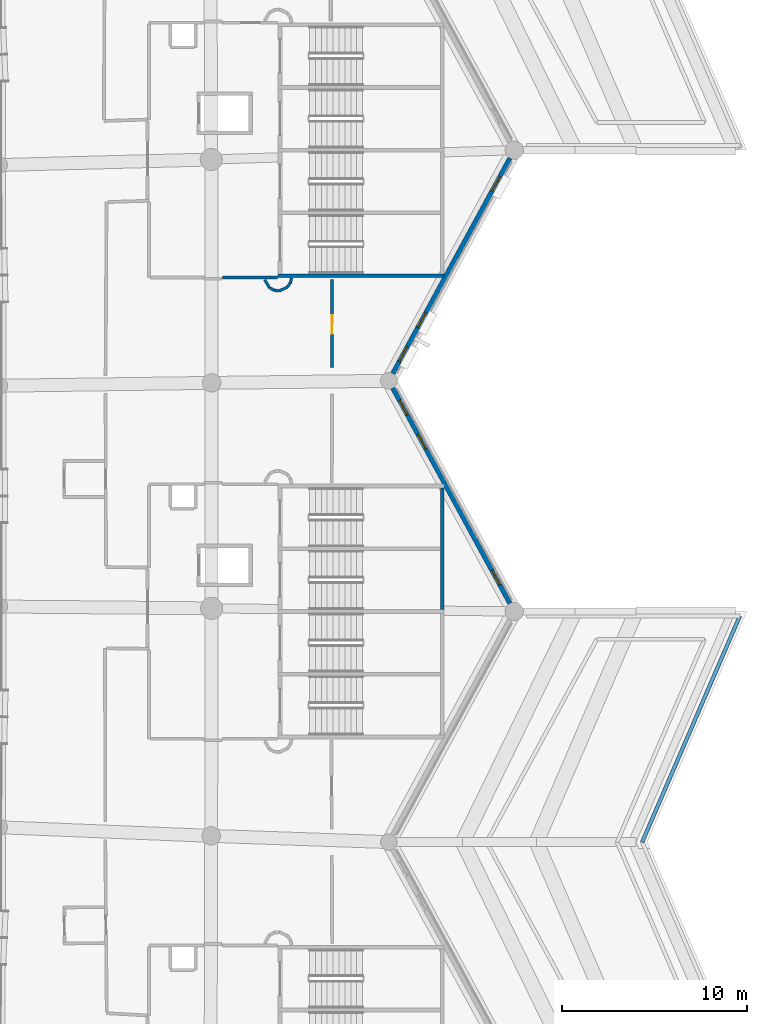
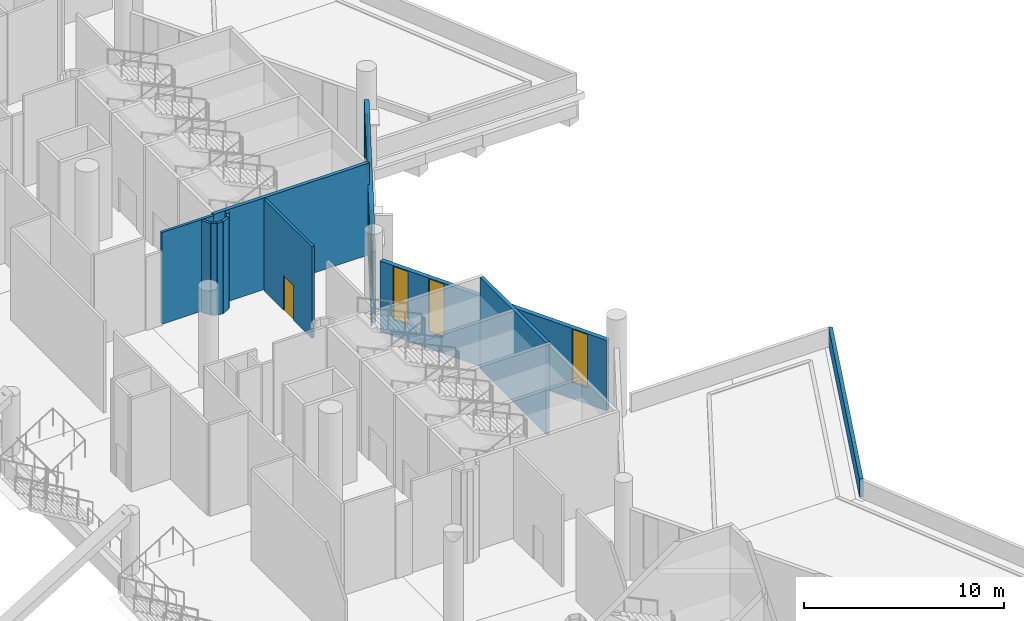
# One storey, part 60 of 173: 13 walls, 6 windows, 1 door, 7 openings.
"""IFC4 building model written with IfcOpenShell, lengths in metres."""

import ifcopenshell
import ifcopenshell.guid

model = None  # the IFC model being written
_history = None  # IfcOwnerHistory: only IFC2X3 demands one
_inside = {}  # id of a spatial element -> (the spatial element, [elements in it])
_under = {}  # id of a project, library or spatial element -> (it, [spatial elements below it])
_declared = {}  # id of a project -> (the project, [libraries it declares])
_typed = {}  # id of a type object -> (the type object, [elements of that type])
_made_of = {}  # id of a material, layer set ... -> (it, [elements and type objects made of it])


def new_model(schema):
    """Start an empty IFC model of exactly this schema.

    Asked for "IFC4X3", IfcOpenShell would pick the latest addendum, in which some entities
    have other attributes; the version numbers below select the first issue.
    IFC2X3 requires an IfcOwnerHistory on every rooted entity: one is made here for all.
    """
    global model, _history
    if schema == "IFC4X3":
        model = ifcopenshell.file(schema_version=(4, 3, 0, 0))
    else:
        model = ifcopenshell.file(schema=schema)
    _inside.clear()
    _under.clear()
    _declared.clear()
    _typed.clear()
    _made_of.clear()
    _history = None
    if model.schema == "IFC2X3":
        org = make("IfcOrganization", Name="unknown")
        user = make(
            "IfcPersonAndOrganization",
            ThePerson=make("IfcPerson", FamilyName="unknown"),
            TheOrganization=org,
        )
        app = make(
            "IfcApplication",
            ApplicationDeveloper=org,
            Version="unknown",
            ApplicationFullName="unknown",
            ApplicationIdentifier="unknown",
        )
        _history = make(
            "IfcOwnerHistory",
            OwningUser=user,
            OwningApplication=app,
            ChangeAction="ADDED",
            CreationDate=0,
        )
    return model


def make(cls, **values):
    """One entity of the class cls with the attributes given. An attribute that is None is left unset."""
    return model.create_entity(
        cls, **{name: value for name, value in values.items() if value is not None}
    )


def rooted(cls, **values):
    """An entity with a GlobalId (a new one), such as an element, a storey or a relation."""
    return make(cls, GlobalId=ifcopenshell.guid.new(), OwnerHistory=_history, **values)


def si_unit(unit_type, name, prefix=None):
    """IfcSIUnit, for example si_unit("LENGTHUNIT", "METRE", prefix="MILLI")."""
    return make("IfcSIUnit", UnitType=unit_type, Prefix=prefix, Name=name)


def assignment(units):
    """IfcUnitAssignment: the units of a project."""
    return None if units is None else make("IfcUnitAssignment", Units=units)


def point(xyz):
    """IfcCartesianPoint."""
    return None if xyz is None else make("IfcCartesianPoint", Coordinates=xyz)


def direction(xyz):
    """IfcDirection."""
    return None if xyz is None else make("IfcDirection", DirectionRatios=xyz)


def frame(location, z_axis=None, x_axis=None):
    """IfcAxis2Placement3D, a coordinate frame: its origin and axes. An axis left out is left unset."""
    return make(
        "IfcAxis2Placement3D",
        Location=point(location),
        Axis=direction(z_axis),
        RefDirection=direction(x_axis),
    )


def frame_2d(location, x_axis=None):
    """IfcAxis2Placement2D, a coordinate frame in the plane: its origin and x axis."""
    return make(
        "IfcAxis2Placement2D", Location=point(location), RefDirection=direction(x_axis)
    )


def origin():
    """The frame at (0, 0, 0) with its axes left unset."""
    return frame((0.0, 0.0, 0.0))


def place(relative_to, where):
    """IfcLocalPlacement: puts the frame where relative to a parent placement (None: the world)."""
    return make(
        "IfcLocalPlacement", PlacementRelTo=relative_to, RelativePlacement=where
    )


def context(
    kind, dimensions, precision=None, world=None, true_north=None, identifier=None
):
    """IfcGeometricRepresentationContext, for example the 3D "Model" context."""
    return make(
        "IfcGeometricRepresentationContext",
        ContextIdentifier=identifier,
        ContextType=kind,
        CoordinateSpaceDimension=dimensions,
        Precision=precision,
        WorldCoordinateSystem=world,
        TrueNorth=true_north,
    )


def subcontext(parent, identifier, kind, view, scale=None):
    """IfcGeometricRepresentationSubContext, for example "Body" below "Model"."""
    return make(
        "IfcGeometricRepresentationSubContext",
        ContextIdentifier=identifier,
        ContextType=kind,
        ParentContext=parent,
        TargetScale=scale,
        TargetView=view,
    )


def project(units=None, contexts=None):
    """IfcProject with its units and contexts."""
    return rooted(
        "IfcProject",
        Name="project",
        RepresentationContexts=contexts,
        UnitsInContext=assignment(units),
    )


def spatial(cls, under=None, at=None, **own):
    """A site, building, storey or space (cls), placed at a placement, below another one or the project."""
    s = rooted(cls, ObjectPlacement=at, **own)
    if under is not None:
        _under.setdefault(under.id(), (under, []))[1].append(s)
    return s


def profile(cls, at=None, kind="AREA", **sizes):
    """A parametric profile (cls). Its sizes go by their IFC names, for example OverallWidth=200.0."""
    return make(cls, ProfileType=kind, Position=at, **sizes)


def rectangle(**sizes):
    """IfcRectangleProfileDef."""
    return profile("IfcRectangleProfileDef", **sizes)


def extrude(swept, where, along, depth):
    """IfcExtrudedAreaSolid: the profile swept, set in the frame where, extruded along a direction by depth."""
    return make(
        "IfcExtrudedAreaSolid",
        SweptArea=swept,
        Position=where,
        ExtrudedDirection=direction(along),
        Depth=depth,
    )


def shape(context_of_items, identifier, shape_type, items):
    """IfcShapeRepresentation: the items that make up one representation, for example the "Body"."""
    return make(
        "IfcShapeRepresentation",
        ContextOfItems=context_of_items,
        RepresentationIdentifier=identifier,
        RepresentationType=shape_type,
        Items=items,
    )


def material(Name=None, Category=None):
    """IfcMaterial."""
    return make("IfcMaterial", Name=Name, Category=Category)


def layer(
    of_material, thickness, ventilated=None, Name=None, Category=None, Priority=None
):
    """IfcMaterialLayer: one layer of a wall or slab, of a material (None: an air gap)."""
    return make(
        "IfcMaterialLayer",
        Material=of_material,
        LayerThickness=thickness,
        IsVentilated=ventilated,
        Name=Name,
        Category=Category,
        Priority=Priority,
    )


def layer_set(layers, Name=None):
    """IfcMaterialLayerSet."""
    return make("IfcMaterialLayerSet", MaterialLayers=layers, LayerSetName=Name)


def made_of(thing, what):
    """Note that an element or type object is made of a material, layer set ...; save() writes the relation."""
    if what is not None:
        _made_of.setdefault(what.id(), (what, []))[1].append(thing)
    return thing


def type_object(cls, material=None, **own):
    """A type object (cls), such as IfcWallType, which elements share."""
    return made_of(rooted(cls, **own), material)


def element(
    cls,
    number,
    at=None,
    inside=None,
    cuts=None,
    type_object=None,
    material=None,
    context=None,
    identifier="Body",
    shape_type=None,
    held_by="IfcProductDefinitionShape",
    body=None,
    shapes=None,
    **own,
):
    """One element of the class cls, such as IfcWall. Its Tag is "e" and its number.

    at: its placement. inside: the storey or other place that contains it. cuts: it is an
    opening in that element (IfcRelVoidsElement). A single representation is given by context,
    identifier, shape_type and body (its items); several are given by shapes. held_by: the class
    of the entity that holds the representations. save() writes the other relations.
    """
    e = rooted(cls, Tag="e%d" % number, ObjectPlacement=at, **own)
    if body is not None:
        shapes = [shape(context, identifier, shape_type, body)]
    if shapes is not None:
        e.Representation = make(held_by, Representations=shapes)
    if inside is not None:
        _inside.setdefault(inside.id(), (inside, []))[1].append(e)
    if cuts is not None:
        rooted(
            "IfcRelVoidsElement", RelatingBuildingElement=cuts, RelatedOpeningElement=e
        )
    if type_object is not None:
        _typed.setdefault(type_object.id(), (type_object, []))[1].append(e)
    return made_of(e, material)


def fill(opening, filler):
    """IfcRelFillsElement: the door or window that sits in an opening."""
    return rooted(
        "IfcRelFillsElement",
        RelatingOpeningElement=opening,
        RelatedBuildingElement=filler,
    )


def aggregate(whole, parts):
    """IfcRelAggregates: a whole, such as a stair, and the parts it consists of."""
    return rooted("IfcRelAggregates", RelatingObject=whole, RelatedObjects=parts)


def save(model, path):
    """Write the relations noted so far, then the file.

    IfcRelAggregates (storeys below a building ...), IfcRelContainedInSpatialStructure (elements
    in a storey), IfcRelDefinesByType, IfcRelAssociatesMaterial and IfcRelDeclares: one each for
    every whole, place, type object, material and project.
    """
    for whole, parts in _under.values():
        aggregate(whole, parts)
    for where, things in _inside.values():
        rooted(
            "IfcRelContainedInSpatialStructure",
            RelatedElements=things,
            RelatingStructure=where,
        )
    for kind, things in _typed.values():
        rooted("IfcRelDefinesByType", RelatedObjects=things, RelatingType=kind)
    for what, things in _made_of.values():
        rooted("IfcRelAssociatesMaterial", RelatedObjects=things, RelatingMaterial=what)
    for by, libraries in _declared.values():
        rooted("IfcRelDeclares", RelatingContext=by, RelatedDefinitions=libraries)
    model.write(path)


model = new_model("IFC4")

# Units and contexts
model_context = context("Model", 3, precision=1e-05, world=origin(), true_north=direction((0.0, 1.0)))
body_context = subcontext(model_context, "Body", "Model", "MODEL_VIEW")
ifc_project = project(units=[si_unit("LENGTHUNIT", "METRE"), si_unit("AREAUNIT", "SQUARE_METRE"), si_unit("VOLUMEUNIT", "CUBIC_METRE"), si_unit("PLANEANGLEUNIT", "RADIAN"), si_unit("MASSUNIT", "GRAM", prefix="KILO")], contexts=[model_context])

# Site, building, storey
site_placement = place(None, origin())
site = spatial("IfcSite", under=ifc_project, at=site_placement, CompositionType="ELEMENT")
building_placement = place(site_placement, origin())
building = spatial("IfcBuilding", under=site, at=building_placement, Name="Meseta Stadium", CompositionType="ELEMENT")
storey_placement = place(building_placement, frame((0.0, 0.0, 18.0)))
storey = spatial("IfcBuildingStorey", under=building, at=storey_placement, Name="L03", CompositionType="ELEMENT", Elevation=18.0)

# Walls
ifc_material_1 = material(Name="Concrete C40/50", Category="concrete")
ifc_layer_1 = layer(ifc_material_1, 0.199951171875)
ifc_layer_set_1 = layer_set([ifc_layer_1], Name="Core shaft wall 200")
wall_type_1 = type_object("IfcWallType", Name="Core shaft wall 200", PredefinedType="SHEAR", material=ifc_layer_set_1)
wall_1_placement = place(storey_placement, frame((97.5, -6.14990234375, 0.0), z_axis=(0.0, 0.0, 1.0), x_axis=(0.0, 1.0, 0.0)))
element("IfcWall", 1, at=wall_1_placement, inside=storey, type_object=wall_type_1, Name="Core 03 L03 stair B outer end wall", PredefinedType="SHEAR", context=body_context, shape_type="SweptSolid", body=[
    extrude(rectangle(XDim=6.599853515625, YDim=0.199951171875, at=frame_2d((3.2998046875, 0.0))), origin(), (0.0, 0.0, 1.0), 5.60009765625),
])
wall_2_placement = place(storey_placement, frame((97.60009765625, 11.949951171875, 0.0), z_axis=(0.0, 0.0, 1.0), x_axis=(-1.0, 0.0, 0.0)))
element("IfcWall", 2, at=wall_2_placement, inside=storey, type_object=wall_type_1, Name="Core 04 L03 stair wall A-side", PredefinedType="SHEAR", context=body_context, shape_type="SweptSolid", body=[
    extrude(rectangle(XDim=9.0, YDim=0.199951171875, at=frame_2d((4.5, 0.0))), origin(), (0.0, 0.0, 1.0), 5.60009765625),
])
ifc_material_2 = material(Name="Masonry blockwork", Category="masonry")
ifc_layer_2 = layer(ifc_material_2, 0.14990234375)
ifc_layer_set_2 = layer_set([ifc_layer_2], Name="Partition 150")
wall_type_2 = type_object("IfcWallType", Name="Partition 150", PredefinedType="PARTITIONING", material=ifc_layer_set_2)
wall_3_placement = place(storey_placement, frame((85.5771484375, 11.85009765625, 0.0), z_axis=(0.0, 0.0, 1.0), x_axis=(1.0, 0.0, 0.0)))
element("IfcWall", 3, at=wall_3_placement, inside=storey, type_object=wall_type_2, Name="Partition L03 L03-cell02-1-0", PredefinedType="PARTITIONING", context=body_context, shape_type="SweptSolid", body=[
    extrude(rectangle(XDim=2.98291015625, YDim=0.14990234375, at=frame_2d((1.491455078125, 0.0))), origin(), (0.0, 0.0, 1.0), 5.60009765625),
])

# Wall, opening, door
wall_4_placement = place(storey_placement, frame((91.519287109375, 6.96728515625, 0.0), z_axis=(0.0, 0.0, 1.0), x_axis=(0.001174067593, 0.999999310782, 0.0)))
wall_4 = element("IfcWall", 4, at=wall_4_placement, inside=storey, type_object=wall_type_2, Name="Partition L03 L03-cell02-1-0", PredefinedType="PARTITIONING", context=body_context, shape_type="SweptSolid", body=[
    extrude(rectangle(XDim=4.78271484375, YDim=0.14990234375, at=frame_2d((2.391357421875, 0.0))), origin(), (0.0, 0.0, 1.0), 5.60009765625),
])
opening_1_placement = place(wall_4_placement, frame((1.83251953125, 0.0, 0.0)))
opening_1 = element("IfcOpeningElement", 5, at=opening_1_placement, cuts=wall_4, Name="Opening D1496", PredefinedType="OPENING", context=body_context, shape_type="SweptSolid", body=[
    extrude(rectangle(XDim=1.0, YDim=2.10009765625, at=frame_2d((0.5, 1.050048828125))), frame((0.0, 0.0849609375, 0.0), z_axis=(0.0, -1.0, 0.0), x_axis=(1.0, 0.0, 0.0)), (0.0, 0.0, 1.0), 0.169921875),
])
ifc_material_3 = material(Name="Steel", Category="steel")
door_type = type_object("IfcDoorType", Name="Fire door 1000x2100 EI2 60", OperationType="NOTDEFINED", PredefinedType="DOOR", material=ifc_material_3)
door_placement = place(opening_1_placement, origin())
door = element("IfcDoor", 6, at=door_placement, inside=storey, type_object=door_type, Name="Room door L03 L03-cell02-2-0", OperationType="SINGLE_SWING_RIGHT", OverallHeight=2.10009765625, OverallWidth=1.0, PredefinedType="DOOR", context=body_context, shape_type="SweptSolid", body=[
    extrude(rectangle(XDim=1.0, YDim=2.10009765625, at=frame_2d((0.5, 1.050048828125))), frame((0.0, 0.02490234375, 0.0), z_axis=(0.0, -1.0, 0.0), x_axis=(1.0, 0.0, 0.0)), (0.0, 0.0, 1.0), 0.050048828125),
])
fill(opening_1, door)

# Walls
wall_5_placement = place(storey_placement, frame((87.877197265625, 11.720947265625, 0.0), z_axis=(0.0, 0.0, 1.0), x_axis=(0.513060623194, -0.858352373404, 0.0)))
element("IfcWall", 7, at=wall_5_placement, inside=storey, type_object=wall_type_2, Name="Stair vestibule wall L03 core 04", PredefinedType="PARTITIONING", context=body_context, shape_type="SweptSolid", body=[
    extrude(rectangle(XDim=0.50048828125, YDim=0.14990234375, at=frame_2d((0.250244140625, 0.0))), origin(), (0.0, 0.0, 1.0), 5.60009765625),
])
for number, where, z_axis, x_axis, name in (
    (8, (88.134033203125, 11.291259765625, 0.0), (0.0, 0.0, 1.0), (0.881768319, -0.471682765858, 0.0), "Stair vestibule wall L03 core 04"),
    (9, (88.38916015625, 11.15478515625, 0.0), (0.0, 0.0, 1.0), (0.995194714408, -0.097915680128, 0.0), "Stair vestibule wall L03 core 04"),
):
    element("IfcWall", number, at=place(storey_placement, frame(where, z_axis=z_axis, x_axis=x_axis)), inside=storey, type_object=wall_type_2, Name=name, PredefinedType="PARTITIONING", context=body_context, shape_type="SweptSolid", body=[
        extrude(rectangle(XDim=0.289306640625, YDim=0.14990234375, at=frame_2d((0.14453125, 0.0))), origin(), (0.0, 0.0, 1.0), 5.60009765625),
    ])
wall_6_placement = place(storey_placement, frame((88.677001953125, 11.12646484375, 0.0), z_axis=(0.0, 0.0, 1.0), x_axis=(0.90398642908, 0.427561148889, 0.0)))
element("IfcWall", 10, at=wall_6_placement, inside=storey, type_object=wall_type_2, Name="Stair vestibule wall L03 core 04", PredefinedType="PARTITIONING", context=body_context, shape_type="SweptSolid", body=[
    extrude(rectangle(XDim=0.479736328125, YDim=0.14990234375, at=frame_2d((0.23974609375, 0.0))), origin(), (0.0, 0.0, 1.0), 5.60009765625),
])
wall_7_placement = place(storey_placement, frame((89.110595703125, 11.33154296875, 0.0), z_axis=(0.0, 0.0, 1.0), x_axis=(0.555678694372, 0.831397130511, 0.0)))
element("IfcWall", 11, at=wall_7_placement, inside=storey, type_object=wall_type_2, Name="Stair vestibule wall L03 core 04", PredefinedType="PARTITIONING", context=body_context, shape_type="SweptSolid", body=[
    extrude(rectangle(XDim=0.287841796875, YDim=0.14990234375, at=frame_2d((0.14404296875, 0.0))), origin(), (0.0, 0.0, 1.0), 5.60009765625),
])
wall_8_placement = place(storey_placement, frame((89.2705078125, 11.57080078125, 0.0), z_axis=(0.0, 0.0, 1.0), x_axis=(0.230253879357, 0.973130593004, 0.0)))
element("IfcWall", 12, at=wall_8_placement, inside=storey, type_object=wall_type_2, Name="Stair vestibule wall L03 core 04", PredefinedType="PARTITIONING", context=body_context, shape_type="SweptSolid", body=[
    extrude(rectangle(XDim=0.257568359375, YDim=0.14990234375, at=frame_2d((0.12890625, 0.0))), origin(), (0.0, 0.0, 1.0), 5.60009765625),
])

# Wall, openings, windows
ifc_material_4 = material(Name="White precast concrete C40/50", Category="concrete")
ifc_layer_3 = layer(ifc_material_4, 0.25)
ifc_layer_set_3 = layer_set([ifc_layer_3], Name="Pleated panel wall 250")
wall_type_3 = type_object("IfcWallType", Name="Pleated panel wall 250", PredefinedType="SOLIDWALL", material=ifc_layer_set_3)
wall_9_placement = place(storey_placement, frame((94.81494140625, 5.854736328125, 0.0), z_axis=(0.0, 0.0, 1.0), x_axis=(0.477867771117, -0.878431780691, 0.0)))
wall_9 = element("IfcWall", 13, at=wall_9_placement, inside=storey, type_object=wall_type_3, Name="Pleated facade panel L03 F04", PredefinedType="SOLIDWALL", context=body_context, shape_type="SweptSolid", body=[
    extrude(rectangle(XDim=13.2802734375, YDim=0.25, at=frame_2d((6.64013671875, 0.0))), origin(), (0.0, 0.0, 1.0), 4.300048828125),
])
opening_2_placement = place(wall_9_placement, frame((0.750244140625, 0.0, 1.0)))
opening_2 = element("IfcOpeningElement", 14, at=opening_2_placement, cuts=wall_9, Name="Opening W155", PredefinedType="OPENING", context=body_context, shape_type="SweptSolid", body=[
    extrude(rectangle(XDim=0.89990234375, YDim=3.25, at=frame_2d((0.449951171875, 1.625))), frame((0.0, 0.135009765625, 0.0), z_axis=(0.0, -1.0, 0.0), x_axis=(1.0, 0.0, 0.0)), (0.0, 0.0, 1.0), 0.27001953125),
])
opening_3_placement = place(wall_9_placement, frame((2.85009765625, 0.0, 1.0)))
opening_3 = element("IfcOpeningElement", 15, at=opening_3_placement, cuts=wall_9, Name="Opening W163", PredefinedType="OPENING", context=body_context, shape_type="SweptSolid", body=[
    extrude(rectangle(XDim=0.89990234375, YDim=3.25, at=frame_2d((0.449951171875, 1.625))), frame((0.0, 0.135009765625, 0.0), z_axis=(0.0, -1.0, 0.0), x_axis=(1.0, 0.0, 0.0)), (0.0, 0.0, 1.0), 0.27001953125),
])
opening_4_placement = place(wall_9_placement, frame((11.250244140625, 0.0, 1.0)))
opening_4 = element("IfcOpeningElement", 16, at=opening_4_placement, cuts=wall_9, Name="Opening W173", PredefinedType="OPENING", context=body_context, shape_type="SweptSolid", body=[
    extrude(rectangle(XDim=0.89990234375, YDim=3.25, at=frame_2d((0.449951171875, 1.625))), frame((0.0, 0.135009765625, 0.0), z_axis=(0.0, -1.0, 0.0), x_axis=(1.0, 0.0, 0.0)), (0.0, 0.0, 1.0), 0.27001953125),
])
ifc_material_5 = material(Name="Aluminium", Category="aluminium")
window_type = type_object("IfcWindowType", Name="Slot window 900x3250", PartitioningType="SINGLE_PANEL", PredefinedType="WINDOW", material=ifc_material_5)
window_1_placement = place(opening_2_placement, origin())
window_1 = element("IfcWindow", 17, at=window_1_placement, inside=storey, type_object=window_type, Name="Slot window L03 F04.1", OverallHeight=3.25, OverallWidth=0.89990234375, PartitioningType="SINGLE_PANEL", PredefinedType="WINDOW", context=body_context, shape_type="SweptSolid", body=[
    extrude(rectangle(XDim=0.89990234375, YDim=3.25, at=frame_2d((0.449951171875, 1.625))), frame((0.0, 0.030029296875, 0.0), z_axis=(0.0, -1.0, 0.0), x_axis=(1.0, 0.0, 0.0)), (0.0, 0.0, 1.0), 0.06005859375),
])
fill(opening_2, window_1)
window_2_placement = place(opening_3_placement, origin())
window_2 = element("IfcWindow", 18, at=window_2_placement, inside=storey, type_object=window_type, Name="Slot window L03 F04.2", OverallHeight=3.25, OverallWidth=0.89990234375, PartitioningType="SINGLE_PANEL", PredefinedType="WINDOW", context=body_context, shape_type="SweptSolid", body=[
    extrude(rectangle(XDim=0.89990234375, YDim=3.25, at=frame_2d((0.449951171875, 1.625))), frame((0.0, 0.030029296875, 0.0), z_axis=(0.0, -1.0, 0.0), x_axis=(1.0, 0.0, 0.0)), (0.0, 0.0, 1.0), 0.06005859375),
])
fill(opening_3, window_2)
window_3_placement = place(opening_4_placement, origin())
window_3 = element("IfcWindow", 19, at=window_3_placement, inside=storey, type_object=window_type, Name="Slot window L03 F04.6", OverallHeight=3.25, OverallWidth=0.89990234375, PartitioningType="SINGLE_PANEL", PredefinedType="WINDOW", context=body_context, shape_type="SweptSolid", body=[
    extrude(rectangle(XDim=0.89990234375, YDim=3.25, at=frame_2d((0.449951171875, 1.625))), frame((0.0, 0.030029296875, 0.0), z_axis=(0.0, -1.0, 0.0), x_axis=(1.0, 0.0, 0.0)), (0.0, 0.0, 1.0), 0.06005859375),
])
fill(opening_4, window_3)

wall_10_placement = place(storey_placement, frame((101.1611328125, 18.31103515625, 0.0), z_axis=(0.0, 0.0, 1.0), x_axis=(-0.477867771117, -0.878431780691, 0.0)))
wall_10 = element("IfcWall", 20, at=wall_10_placement, inside=storey, type_object=wall_type_3, Name="Pleated facade panel L03 F05", PredefinedType="SOLIDWALL", context=body_context, shape_type="SweptSolid", body=[
    extrude(rectangle(XDim=13.2802734375, YDim=0.25, at=frame_2d((6.64013671875, 0.0))), origin(), (0.0, 0.0, 1.0), 4.300048828125),
])
opening_5_placement = place(wall_10_placement, frame((11.630126953125, 0.0, 1.0)))
opening_5 = element("IfcOpeningElement", 21, at=opening_5_placement, cuts=wall_10, Name="Opening W156", PredefinedType="OPENING", context=body_context, shape_type="SweptSolid", body=[
    extrude(rectangle(XDim=0.89990234375, YDim=3.25, at=frame_2d((0.449951171875, 1.625))), frame((0.0, 0.135009765625, 0.0), z_axis=(0.0, -1.0, 0.0), x_axis=(1.0, 0.0, 0.0)), (0.0, 0.0, 1.0), 0.27001953125),
])
opening_6_placement = place(wall_10_placement, frame((9.530029296875, 0.0, 1.0)))
opening_6 = element("IfcOpeningElement", 22, at=opening_6_placement, cuts=wall_10, Name="Opening W164", PredefinedType="OPENING", context=body_context, shape_type="SweptSolid", body=[
    extrude(rectangle(XDim=0.89990234375, YDim=3.25, at=frame_2d((0.449951171875, 1.625))), frame((0.0, 0.135009765625, 0.0), z_axis=(0.0, -1.0, 0.0), x_axis=(1.0, 0.0, 0.0)), (0.0, 0.0, 1.0), 0.27001953125),
])
opening_7_placement = place(wall_10_placement, frame((1.130126953125, 0.0, 1.0)))
opening_7 = element("IfcOpeningElement", 23, at=opening_7_placement, cuts=wall_10, Name="Opening W174", PredefinedType="OPENING", context=body_context, shape_type="SweptSolid", body=[
    extrude(rectangle(XDim=0.89990234375, YDim=3.25, at=frame_2d((0.449951171875, 1.625))), frame((0.0, 0.135009765625, 0.0), z_axis=(0.0, -1.0, 0.0), x_axis=(1.0, 0.0, 0.0)), (0.0, 0.0, 1.0), 0.27001953125),
])
window_4_placement = place(opening_5_placement, origin())
window_4 = element("IfcWindow", 24, at=window_4_placement, inside=storey, type_object=window_type, Name="Slot window L03 F05.1", OverallHeight=3.25, OverallWidth=0.89990234375, PartitioningType="SINGLE_PANEL", PredefinedType="WINDOW", context=body_context, shape_type="SweptSolid", body=[
    extrude(rectangle(XDim=0.89990234375, YDim=3.25, at=frame_2d((0.449951171875, 1.625))), frame((0.0, 0.030029296875, 0.0), z_axis=(0.0, -1.0, 0.0), x_axis=(1.0, 0.0, 0.0)), (0.0, 0.0, 1.0), 0.06005859375),
])
fill(opening_5, window_4)
window_5_placement = place(opening_6_placement, origin())
window_5 = element("IfcWindow", 25, at=window_5_placement, inside=storey, type_object=window_type, Name="Slot window L03 F05.2", OverallHeight=3.25, OverallWidth=0.89990234375, PartitioningType="SINGLE_PANEL", PredefinedType="WINDOW", context=body_context, shape_type="SweptSolid", body=[
    extrude(rectangle(XDim=0.89990234375, YDim=3.25, at=frame_2d((0.449951171875, 1.625))), frame((0.0, 0.030029296875, 0.0), z_axis=(0.0, -1.0, 0.0), x_axis=(1.0, 0.0, 0.0)), (0.0, 0.0, 1.0), 0.06005859375),
])
fill(opening_6, window_5)
window_6_placement = place(opening_7_placement, origin())
window_6 = element("IfcWindow", 26, at=window_6_placement, inside=storey, type_object=window_type, Name="Slot window L03 F05.6", OverallHeight=3.25, OverallWidth=0.89990234375, PartitioningType="SINGLE_PANEL", PredefinedType="WINDOW", context=body_context, shape_type="SweptSolid", body=[
    extrude(rectangle(XDim=0.89990234375, YDim=3.25, at=frame_2d((0.449951171875, 1.625))), frame((0.0, 0.030029296875, 0.0), z_axis=(0.0, -1.0, 0.0), x_axis=(1.0, 0.0, 0.0)), (0.0, 0.0, 1.0), 0.06005859375),
])
fill(opening_7, window_6)

# Wall
ifc_material_6 = material(Name="Concrete C40/50", Category="concrete")
ifc_layer_4 = layer(ifc_material_6, 0.199951171875)
ifc_layer_set_4 = layer_set([ifc_layer_4], Name="Roof parapet 200")
wall_type_4 = type_object("IfcWallType", Name="Roof parapet 200", PredefinedType="PARAPET", material=ifc_layer_set_4)
wall_11_placement = place(storey_placement, frame((113.61962890625, -6.5, 0.0), z_axis=(0.0, 0.0, 1.0), x_axis=(-0.396576195912, -0.918001808732, 0.0)))
element("IfcWall", 27, at=wall_11_placement, inside=storey, type_object=wall_type_4, Name="Roof parapet 8.49.1", PredefinedType="PARAPET", context=body_context, shape_type="SweptSolid", body=[
    extrude(rectangle(XDim=13.34423828125, YDim=0.199951171875, at=frame_2d((6.672119140625, 0.0))), origin(), (0.0, 0.0, 1.0), 1.10009765625),
])

save(model, "model.ifc")
